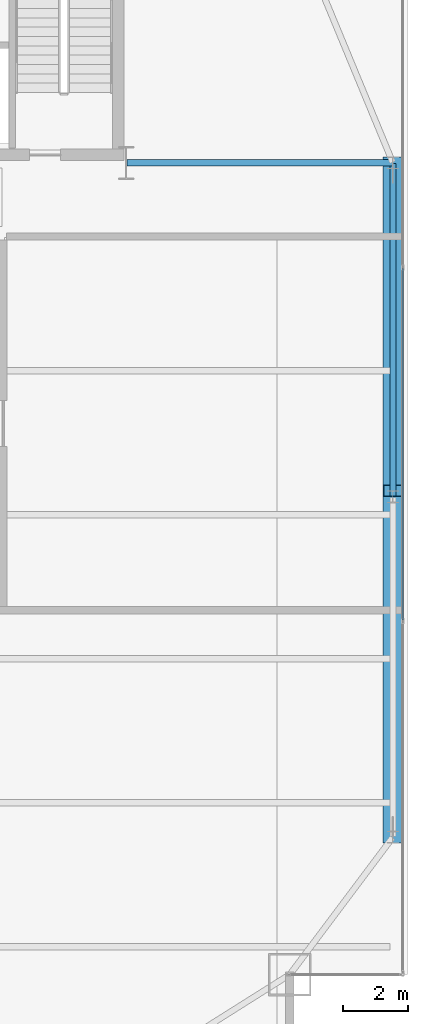
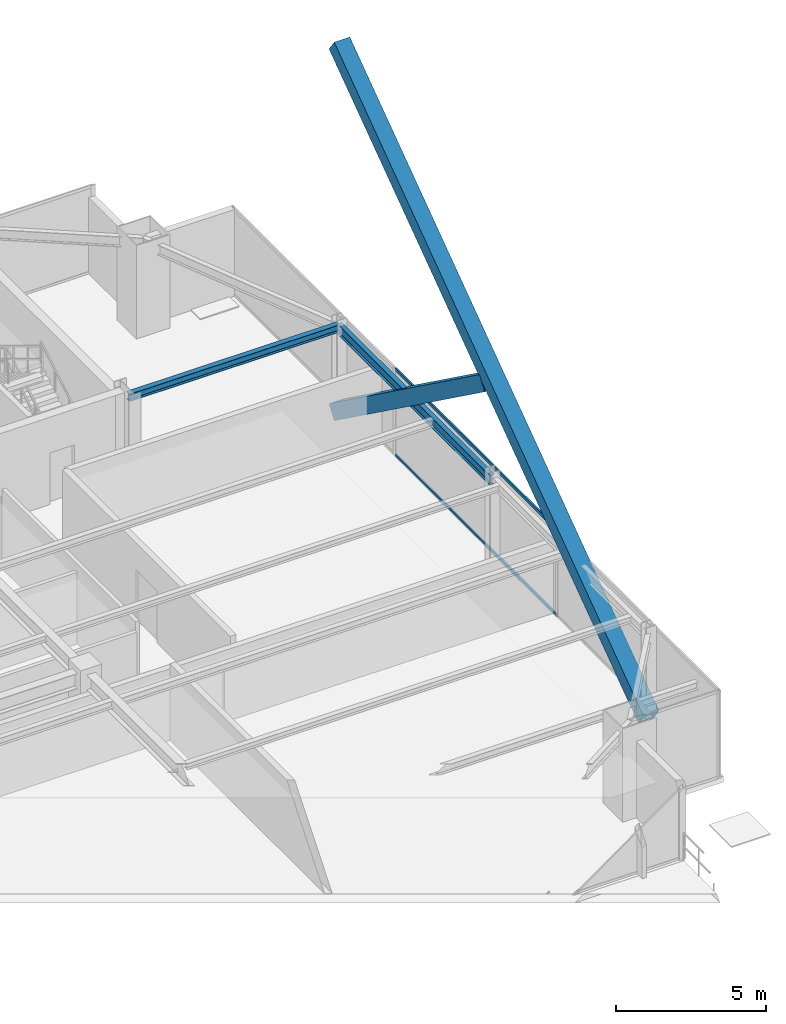
# One storey, part 18 of 33: 4 members, 2 beams, 1 element without a shape of its own.
"""IFC4 building model written with IfcOpenShell, lengths in metres."""

from ifc_helpers import new_model, si_unit, direction, frame, origin, origin_2d, place, context, subcontext, project, spatial, hollow_rectangle, i_section, extrude, source, transform, mapped, material, layer, layer_set, material_profile, profile_set, type_object, type_shapes, element, aggregate, save


model = new_model("IFC4")

# Units and contexts
model_context = context("Model", 3, precision=1e-05, world=origin(), true_north=direction((0.0, 1.0)))
body_context = subcontext(model_context, "Body", "Model", "MODEL_VIEW")
ifc_project = project(units=[si_unit("LENGTHUNIT", "METRE"), si_unit("AREAUNIT", "SQUARE_METRE"), si_unit("VOLUMEUNIT", "CUBIC_METRE"), si_unit("PLANEANGLEUNIT", "RADIAN"), si_unit("MASSUNIT", "GRAM", prefix="KILO")], contexts=[model_context])

# Site, building, storey
site_placement = place(None, origin())
site = spatial("IfcSite", under=ifc_project, at=site_placement, CompositionType="ELEMENT")
building_placement = place(site_placement, origin())
building = spatial("IfcBuilding", under=site, at=building_placement, Name="Varnel Quay Broadcast Tower", CompositionType="ELEMENT")
storey_placement = place(building_placement, frame((0.0, 0.0, 145.800048828125)))
storey = spatial("IfcBuildingStorey", under=building, at=storey_placement, Name="L35", CompositionType="ELEMENT", Elevation=145.800048828125)

# Beams
ifc_material_1 = material(Name="Structural Steel CSA G40.21 350W", Category="steel")
ifc_material_profile_1 = material_profile(ifc_material_1, i_section(OverallWidth=0.180908203125, OverallDepth=0.4169921875, WebThickness=0.010986328125, FlangeThickness=0.018310546875, FilletRadius=0.011962890625, at=origin_2d()), Name="W410X85")
ifc_profile_set_1 = profile_set([ifc_material_profile_1], Name="Structural Steel CSA G40.21 350W")
beam_type_1 = type_object("IfcBeamType", Name="Beam_W410X85", PredefinedType="SPANDREL", material=ifc_profile_set_1)
shared_shape_1 = source(origin(), body_context, "Body", "SweptSolid", [
    extrude(i_section(OverallWidth=0.180908203125, OverallDepth=0.4169921875, WebThickness=0.010986328125, FlangeThickness=0.018310546875, FilletRadius=0.011962890625, at=origin_2d()), origin(), (0.0, 0.0, 1.0), 10.16015625),
])
type_shapes(beam_type_1, [shared_shape_1])
beam_1_placement = place(storey_placement, frame((60.550048828125, 25.419921875, 3.341552734375), z_axis=(0.0, 1.0, 0.0), x_axis=(-1.0, 0.0, 0.0)))
element("IfcBeam", 1, at=beam_1_placement, inside=storey, type_object=beam_type_1, Name="L35 East Spandrel TC-E2-TC-E3", PredefinedType="SPANDREL", context=body_context, shape_type="MappedRepresentation", body=[
    mapped(shared_shape_1, transform((0.0, 0.0, 0.0), x_axis=(1.0, 0.0, 0.0), y_axis=(0.0, 1.0, 0.0), z_axis=(0.0, 0.0, 1.0), scale=1.0)),
])
ifc_material_profile_2 = material_profile(ifc_material_1, i_section(OverallWidth=0.202880859375, OverallDepth=0.302978515625, WebThickness=0.007568359375, FlangeThickness=0.01318359375, FilletRadius=0.011962890625, at=origin_2d()), Name="W310X60")
ifc_profile_set_2 = profile_set([ifc_material_profile_2], Name="Structural Steel CSA G40.21 350W")
beam_type_2 = type_object("IfcBeamType", Name="Beam_W310X60", PredefinedType="JOIST", material=ifc_profile_set_2)
shared_shape_2 = source(origin(), body_context, "Body", "SweptSolid", [
    extrude(i_section(OverallWidth=0.202880859375, OverallDepth=0.302978515625, WebThickness=0.007568359375, FlangeThickness=0.01318359375, FilletRadius=0.011962890625, at=origin_2d()), origin(), (0.0, 0.0, 1.0), 8.110107421875),
])
type_shapes(beam_type_2, [shared_shape_2])
beam_2_placement = place(storey_placement, frame((52.419921875, 35.60009765625, 3.3984375), z_axis=(1.0, 0.0, 0.0), x_axis=(0.0, 1.0, 0.0)))
element("IfcBeam", 2, at=beam_2_placement, inside=storey, type_object=beam_type_2, Name="L35 East Core Tie Joist", PredefinedType="JOIST", context=body_context, shape_type="MappedRepresentation", body=[
    mapped(shared_shape_2, transform((0.0, 0.0, 0.0), x_axis=(1.0, 0.0, 0.0), y_axis=(0.0, 1.0, 0.0), z_axis=(0.0, 0.0, 1.0), scale=1.0)),
])

# Members
ifc_material_2 = material(Name="Structural Steel CSA G40.21 350WT", Category="steel")
ifc_material_profile_3 = material_profile(ifc_material_2, hollow_rectangle(XDim=0.60009765625, YDim=0.60009765625, WallThickness=0.028076171875, at=origin_2d()), Name="BOX600X600X28")
ifc_profile_set_3 = profile_set([ifc_material_profile_3], Name="Structural Steel CSA G40.21 350WT")
member_type_1 = type_object("IfcMemberType", Name="Brace_BOX600X600X28", PredefinedType="BRACE", material=ifc_profile_set_3)
shared_shape_3 = source(origin(), body_context, "Body", "SweptSolid", [
    extrude(hollow_rectangle(XDim=0.60009765625, YDim=0.60009765625, WallThickness=0.028076171875, at=origin_2d()), origin(), (0.0, 0.0, 1.0), 25.4296875),
])
member_1_placement = place(storey_placement, frame((60.550048828125, 15.0, 0.02001953125), z_axis=(0.0, 0.810080334362, 0.586318899474), x_axis=(-1.0, 0.0, 0.0)))
element("IfcMember", 3, at=member_1_placement, inside=storey, type_object=member_type_1, Name="Zone 3 Mega-Brace E-FT1 Continuous Diag A", PredefinedType="BRACE", context=body_context, shape_type="MappedRepresentation", body=[
    mapped(shared_shape_3, transform((0.0, 0.0, 0.0), x_axis=(1.0, 0.0, 0.0), y_axis=(0.0, 1.0, 0.0), z_axis=(0.0, 0.0, 1.0), scale=1.0)),
])
shared_shape_4 = source(origin(), body_context, "Body", "SweptSolid", [
    extrude(hollow_rectangle(XDim=0.60009765625, YDim=0.60009765625, WallThickness=0.028076171875, at=origin_2d()), origin(), (0.0, 0.0, 1.0), 12.3740234375),
])
type_shapes(member_type_1, [shared_shape_3, shared_shape_4])
member_2_placement = place(storey_placement, frame((60.550048828125, 35.60009765625, 0.02001953125), z_axis=(0.0, -0.810079456088, 0.586320112928), x_axis=(1.0, 0.0, 0.0)))
element("IfcMember", 4, at=member_2_placement, inside=storey, type_object=member_type_1, Name="Zone 3 Mega-Brace E-FT1 Split Diag B1", PredefinedType="BRACE", context=body_context, shape_type="MappedRepresentation", body=[
    mapped(shared_shape_4, transform((0.0, 0.0, 0.0), x_axis=(1.0, 0.0, 0.0), y_axis=(0.0, 1.0, 0.0), z_axis=(0.0, 0.0, 1.0), scale=1.0)),
])

# Curtain wall, members
ifc_material_3 = material(Name="Anodised Bronze Aluminium 6063-T6", Category="aluminium")
ifc_layer = layer(ifc_material_3, 0.18994140625, Name="Anodised Bronze Aluminium 6063-T6")
ifc_layer_set = layer_set([ifc_layer], Name="Anodised Bronze Aluminium 6063-T6")
curtain_wall_type = type_object("IfcCurtainWallType", Name="CW_UpperTower", PredefinedType="NOTDEFINED", material=ifc_layer_set)
curtain_wall_placement = place(storey_placement, origin())
curtain_wall = element("IfcCurtainWall", 5, at=curtain_wall_placement, inside=storey, type_object=curtain_wall_type, Name="L35 East Unitised Curtain Wall", PredefinedType="NOTDEFINED")
ifc_material_profile_4 = material_profile(ifc_material_3, hollow_rectangle(XDim=0.06005859375, YDim=0.125, WallThickness=0.0029296875, at=origin_2d()), Name="ALU60X125X3")
ifc_profile_set_4 = profile_set([ifc_material_profile_4], Name="Anodised Bronze Aluminium 6063-T6")
member_type_2 = type_object("IfcMemberType", Name="Tran_CWS-03", PredefinedType="USERDEFINED", material=ifc_profile_set_4)
shared_shape_5 = source(origin(), body_context, "Body", "SweptSolid", [
    extrude(hollow_rectangle(XDim=0.06005859375, YDim=0.125, WallThickness=0.0029296875, at=origin_2d()), origin(), (0.0, 0.0, 1.0), 10.73486328125),
])
type_shapes(member_type_2, [shared_shape_5])
member_3_placement = place(storey_placement, frame((60.85009765625, 21.632568359375, 0.030029296875), z_axis=(0.0, 1.0, 0.0), x_axis=(-1.0, 0.0, 0.0)))
member_3 = element("IfcMember", 6, at=member_3_placement, type_object=member_type_2, Name="CWS-03 transom 2.1", ObjectType="TRANSOM", PredefinedType="USERDEFINED", context=body_context, shape_type="MappedRepresentation", body=[
    mapped(shared_shape_5, transform((0.0, 0.0, 0.0), x_axis=(1.0, 0.0, 0.0), y_axis=(0.0, 1.0, 0.0), z_axis=(0.0, 0.0, 1.0), scale=1.0)),
])
member_4_placement = place(storey_placement, frame((60.85009765625, 21.632568359375, 3.52001953125), z_axis=(0.0, 1.0, 0.0), x_axis=(-1.0, 0.0, 0.0)))
member_4 = element("IfcMember", 7, at=member_4_placement, type_object=member_type_2, Name="CWS-03 transom 2.2", ObjectType="TRANSOM", PredefinedType="USERDEFINED", context=body_context, shape_type="MappedRepresentation", body=[
    mapped(shared_shape_5, transform((0.0, 0.0, 0.0), x_axis=(1.0, 0.0, 0.0), y_axis=(0.0, 1.0, 0.0), z_axis=(0.0, 0.0, 1.0), scale=1.0)),
])
aggregate(curtain_wall, [member_3, member_4])

save(model, "model.ifc")
